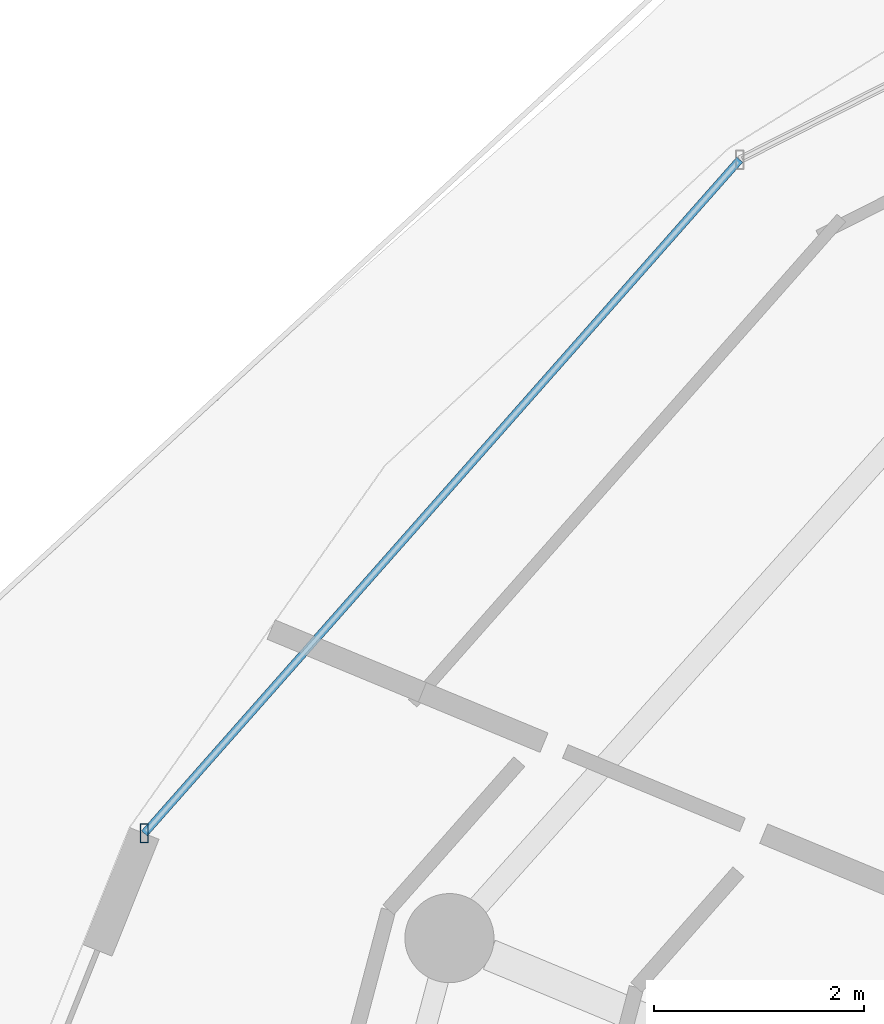
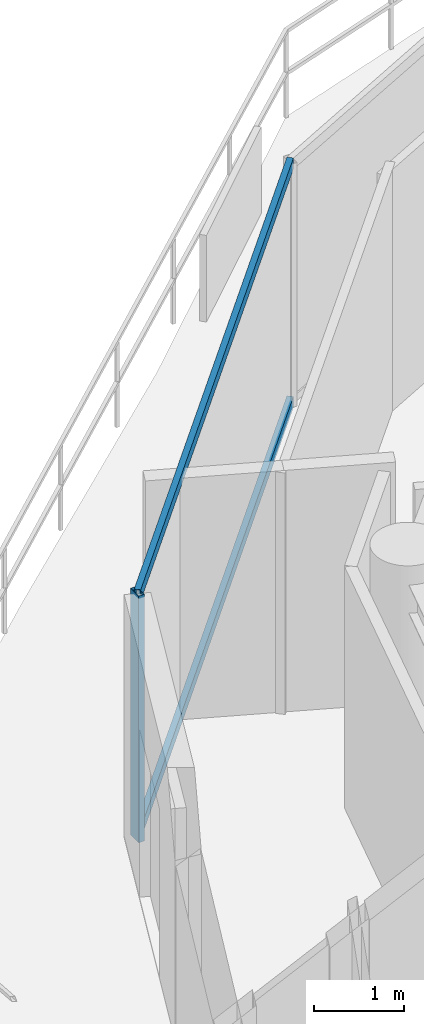
# One storey, part 8 of 30: 3 members, 1 element without a shape of its own.
"""IFC4 building model written with IfcOpenShell, lengths in metres."""

from ifc_helpers import new_model, si_unit, direction, frame, origin, origin_2d, place, context, subcontext, project, spatial, hollow_rectangle, extrude, material, material_profile, profile_set, type_object, element, aggregate, save


model = new_model("IFC4")

# Units and contexts
model_context = context("Model", 3, precision=1e-05, world=origin(), true_north=direction((0.0, 1.0)))
body_context = subcontext(model_context, "Body", "Model", "MODEL_VIEW")
ifc_project = project(units=[si_unit("LENGTHUNIT", "METRE"), si_unit("AREAUNIT", "SQUARE_METRE"), si_unit("VOLUMEUNIT", "CUBIC_METRE"), si_unit("PLANEANGLEUNIT", "RADIAN"), si_unit("MASSUNIT", "GRAM", prefix="KILO")], contexts=[model_context])

# Site, building, storey
site_placement = place(None, origin())
site = spatial("IfcSite", under=ifc_project, at=site_placement, CompositionType="ELEMENT")
building_placement = place(site_placement, origin())
building = spatial("IfcBuilding", under=site, at=building_placement, Name="Vorneva Point Tower", CompositionType="ELEMENT")
storey_placement = place(building_placement, frame((0.0, 0.0, 237.800048828125)))
storey = spatial("IfcBuildingStorey", under=building, at=storey_placement, Name="L64", CompositionType="ELEMENT", Elevation=237.800048828125)

# Curtain wall, members
ifc_material = material(Name="Pale anodised aluminium", Category="aluminium")
curtain_wall_type = type_object("IfcCurtainWallType", Name="CW-RES-SYS", PredefinedType="NOTDEFINED", material=ifc_material)
curtain_wall_placement = place(storey_placement, origin())
curtain_wall = element("IfcCurtainWall", 1, at=curtain_wall_placement, inside=storey, type_object=curtain_wall_type, Name="L64 Unitised Curtain Wall CW-L64-R02", PredefinedType="NOTDEFINED")
ifc_material_profile_1 = material_profile(ifc_material, hollow_rectangle(XDim=0.074951171875, YDim=0.179931640625, WallThickness=0.00390625, at=origin_2d()), Name="AL-MUL 180x75x4")
ifc_profile_set_1 = profile_set([ifc_material_profile_1], Name="Pale anodised aluminium")
member_type_1 = type_object("IfcMemberType", Name="CW-MUL-180", PredefinedType="MULLION", material=ifc_profile_set_1)
member_1_placement = place(storey_placement, frame((13.79443359375, 33.5810546875, -0.0400390625), z_axis=(0.0, 0.0, 1.0), x_axis=(1.0, 0.0, 0.0)))
member_1 = element("IfcMember", 2, at=member_1_placement, type_object=member_type_1, Name="CW-L64-R02 Mullion 06", PredefinedType="MULLION", context=body_context, shape_type="SweptSolid", body=[
    extrude(hollow_rectangle(XDim=0.074951171875, YDim=0.179931640625, WallThickness=0.00390625, at=origin_2d()), origin(), (0.0, 0.0, 1.0), 3.360107421875),
])
ifc_material_profile_2 = material_profile(ifc_material, hollow_rectangle(XDim=0.074951171875, YDim=0.14990234375, WallThickness=0.00390625, at=origin_2d()), Name="AL-TRN 150x75x4")
ifc_profile_set_2 = profile_set([ifc_material_profile_2], Name="Pale anodised aluminium")
member_type_2 = type_object("IfcMemberType", Name="CW-TRN-150", PredefinedType="USERDEFINED", material=ifc_profile_set_2)
member_2_placement = place(storey_placement, frame((19.473876953125, 40.0078125, 0.02001953125), z_axis=(-0.662196681357, -0.74933007093, 0.0), x_axis=(0.74933007093, -0.662196681357, 0.0)))
member_2 = element("IfcMember", 3, at=member_2_placement, type_object=member_type_2, Name="CW-L64-R02 Transom 05.1", ObjectType="TRANSOM", PredefinedType="USERDEFINED", context=body_context, shape_type="SweptSolid", body=[
    extrude(hollow_rectangle(XDim=0.074951171875, YDim=0.14990234375, WallThickness=0.00390625, at=origin_2d()), origin(), (0.0, 0.0, 1.0), 8.57666015625),
])
member_3_placement = place(storey_placement, frame((19.473876953125, 40.0078125, 3.27001953125), z_axis=(-0.662196681357, -0.74933007093, 0.0), x_axis=(0.74933007093, -0.662196681357, 0.0)))
member_3 = element("IfcMember", 4, at=member_3_placement, type_object=member_type_2, Name="CW-L64-R02 Transom 05.2", ObjectType="TRANSOM", PredefinedType="USERDEFINED", context=body_context, shape_type="SweptSolid", body=[
    extrude(hollow_rectangle(XDim=0.074951171875, YDim=0.14990234375, WallThickness=0.00390625, at=origin_2d()), origin(), (0.0, 0.0, 1.0), 8.57666015625),
])
aggregate(curtain_wall, [member_1, member_2, member_3])

save(model, "model.ifc")
